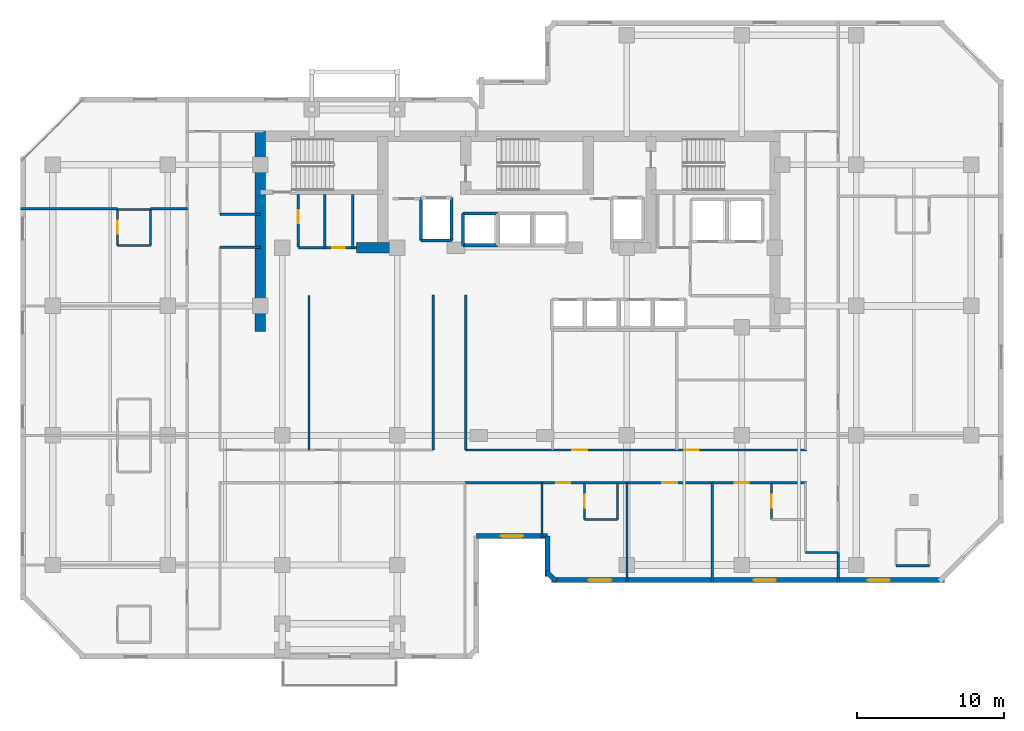
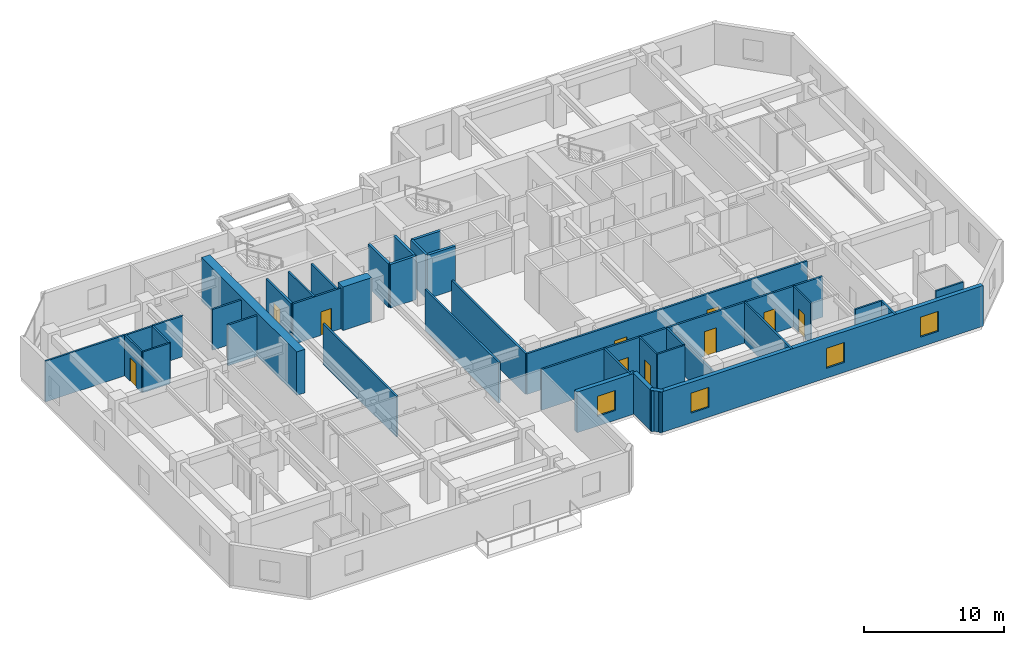
# One storey, part 5 of 10: 39 walls, 10 doors, 4 windows, 14 openings.
"""IFC4 building model written with IfcOpenShell, lengths in metres."""

from ifc_helpers import new_model, si_unit, direction, frame, frame_2d, origin, place, context, subcontext, project, spatial, rectangle, extrude, material, layer, layer_set, type_object, element, fill, save


model = new_model("IFC4")

# Units and contexts
model_context = context("Model", 3, precision=1e-05, world=origin(), true_north=direction((0.0, 1.0)))
body_context = subcontext(model_context, "Body", "Model", "MODEL_VIEW")
ifc_project = project(units=[si_unit("LENGTHUNIT", "METRE"), si_unit("AREAUNIT", "SQUARE_METRE"), si_unit("VOLUMEUNIT", "CUBIC_METRE"), si_unit("PLANEANGLEUNIT", "RADIAN"), si_unit("MASSUNIT", "GRAM", prefix="KILO")], contexts=[model_context])

# Site, building, storey
site_placement = place(None, origin())
site = spatial("IfcSite", under=ifc_project, at=site_placement, CompositionType="ELEMENT")
building_placement = place(site_placement, origin())
building = spatial("IfcBuilding", under=site, at=building_placement, Name="Kestravale Grand Hotel", CompositionType="ELEMENT")
storey_placement = place(building_placement, frame((0.0, 0.0, 138.39990234375)))
storey = spatial("IfcBuildingStorey", under=building, at=storey_placement, Name="L34", CompositionType="ELEMENT", Elevation=138.39990234375)

# Walls
ifc_material_1 = material(Name="Concrete f'c 60 MPa", Category="concrete")
ifc_layer_1 = layer(ifc_material_1, 0.699951171875)
ifc_layer_set_1 = layer_set([ifc_layer_1], Name="EW-CORE-700")
wall_type_1 = type_object("IfcWallType", Name="EW-CORE-700", PredefinedType="SHEAR", material=ifc_layer_set_1)
wall_1_placement = place(storey_placement, frame((21.89990234375, 27.050048828125, 0.0), z_axis=(0.0, 0.0, 1.0), x_axis=(0.0, 1.0, 0.0)))
element("IfcWall", 1, at=wall_1_placement, inside=storey, type_object=wall_type_1, Name="L34 core shear wall W1", PredefinedType="SHEAR", context=body_context, shape_type="SweptSolid", body=[
    extrude(rectangle(XDim=13.619873046875, YDim=0.699951171875, at=frame_2d((6.81005859375, 0.0))), origin(), (0.0, 0.0, 1.0), 3.800048828125),
])
wall_2_placement = place(storey_placement, frame((28.449951171875, 32.75, 0.0), z_axis=(0.0, 0.0, 1.0), x_axis=(1.0, 0.0, 0.0)))
element("IfcWall", 2, at=wall_2_placement, inside=storey, type_object=wall_type_1, Name="L34 core shear wall S1", PredefinedType="SHEAR", context=body_context, shape_type="SweptSolid", body=[
    extrude(rectangle(XDim=2.400146484375, YDim=0.699951171875, at=frame_2d((1.2001953125, 0.0))), origin(), (0.0, 0.0, 1.0), 3.800048828125),
])

# Wall, opening, window
ifc_material_2 = material(Name="Precast concrete f'c 45 MPa", Category="concrete")
ifc_layer_2 = layer(ifc_material_2, 0.340087890625)
ifc_layer_set_2 = layer_set([ifc_layer_2], Name="EW-PREC-340")
wall_type_2 = type_object("IfcWallType", Name="EW-PREC-340", PredefinedType="SOLIDWALL", material=ifc_layer_set_2)
wall_3_placement = place(storey_placement, frame((36.580078125, 13.169921875, 0.0), z_axis=(0.0, 0.0, 1.0), x_axis=(1.0, 0.0, 0.0)))
wall_3 = element("IfcWall", 3, at=wall_3_placement, inside=storey, type_object=wall_type_2, Name="L34 fluted precast facade wall 4", PredefinedType="SOLIDWALL", context=body_context, shape_type="SweptSolid", body=[
    extrude(rectangle(XDim=4.83984375, YDim=0.340087890625, at=frame_2d((2.419921875, 0.0))), origin(), (0.0, 0.0, 1.0), 3.550048828125),
])
opening_1_placement = place(wall_3_placement, frame((1.669921875, 0.0, 0.85009765625)))
opening_1 = element("IfcOpeningElement", 4, at=opening_1_placement, cuts=wall_3, Name="Opening W-GUEST-1500", PredefinedType="OPENING", context=body_context, shape_type="SweptSolid", body=[
    extrude(rectangle(XDim=1.5, YDim=1.75, at=frame_2d((0.75, 0.875))), frame((0.0, 0.179931640625, 0.0), z_axis=(0.0, -1.0, 0.0), x_axis=(1.0, 0.0, 0.0)), (0.0, 0.0, 1.0), 0.360107421875),
])
ifc_material_3 = material(Name="Insulated low-E double glazing in aluminium frame", Category="aluminium")
window_type = type_object("IfcWindowType", Name="W-GUEST-1500", PartitioningType="SINGLE_PANEL", PredefinedType="WINDOW", material=ifc_material_3)
window_1_placement = place(opening_1_placement, origin())
window_1 = element("IfcWindow", 5, at=window_1_placement, inside=storey, type_object=window_type, Name="L34 exterior window 4.1", OverallHeight=1.75, OverallWidth=1.5, PartitioningType="SINGLE_PANEL", PredefinedType="WINDOW", context=body_context, shape_type="SweptSolid", body=[
    extrude(rectangle(XDim=1.5, YDim=1.75, at=frame_2d((0.75, 0.875))), frame((0.0, 0.030029296875, 0.0), z_axis=(0.0, -1.0, 0.0), x_axis=(1.0, 0.0, 0.0)), (0.0, 0.0, 1.0), 0.06005859375),
])
fill(opening_1, window_1)

# Walls
wall_4_placement = place(storey_placement, frame((41.419921875, 13.169921875, 0.0), z_axis=(0.0, 0.0, 1.0), x_axis=(0.0, -1.0, 0.0)))
element("IfcWall", 6, at=wall_4_placement, inside=storey, type_object=wall_type_2, Name="L34 fluted precast facade wall 5", PredefinedType="SOLIDWALL", context=body_context, shape_type="SweptSolid", body=[
    extrude(rectangle(XDim=2.739990234375, YDim=0.340087890625, at=frame_2d((1.3701171875, 0.0))), origin(), (0.0, 0.0, 1.0), 3.550048828125),
])
wall_5_placement = place(storey_placement, frame((41.341796875, 10.74853515625, 0.0), z_axis=(0.0, 0.0, 1.0), x_axis=(0.707106781187, -0.707106781187, 0.0)))
element("IfcWall", 7, at=wall_5_placement, inside=storey, type_object=wall_type_2, Name="L34 fluted precast facade wall 6", PredefinedType="SOLIDWALL", context=body_context, shape_type="SweptSolid", body=[
    extrude(rectangle(XDim=0.9287109375, YDim=0.340087890625, at=frame_2d((0.46435546875, 0.0))), origin(), (0.0, 0.0, 1.0), 3.550048828125),
])

# Wall, openings, windows
wall_6_placement = place(storey_placement, frame((41.679931640625, 10.169921875, 0.0), z_axis=(0.0, 0.0, 1.0), x_axis=(1.0, 0.0, 0.0)))
wall_6 = element("IfcWall", 8, at=wall_6_placement, inside=storey, type_object=wall_type_2, Name="L34 fluted precast facade wall 7", PredefinedType="SOLIDWALL", context=body_context, shape_type="SweptSolid", body=[
    extrude(rectangle(XDim=26.690185546875, YDim=0.340087890625, at=frame_2d((13.34521484375, 0.0))), origin(), (0.0, 0.0, 1.0), 3.550048828125),
])
opening_2_placement = place(wall_6_placement, frame((2.54833984375, 0.0, 0.85009765625)))
opening_2 = element("IfcOpeningElement", 9, at=opening_2_placement, cuts=wall_6, Name="Opening W-GUEST-1500", PredefinedType="OPENING", context=body_context, shape_type="SweptSolid", body=[
    extrude(rectangle(XDim=1.5, YDim=1.75, at=frame_2d((0.75, 0.875))), frame((0.0, 0.179931640625, 0.0), z_axis=(0.0, -1.0, 0.0), x_axis=(1.0, 0.0, 0.0)), (0.0, 0.0, 1.0), 0.360107421875),
])
opening_3_placement = place(wall_6_placement, frame((13.7451171875, 0.0, 0.85009765625)))
opening_3 = element("IfcOpeningElement", 10, at=opening_3_placement, cuts=wall_6, Name="Opening W-GUEST-1500", PredefinedType="OPENING", context=body_context, shape_type="SweptSolid", body=[
    extrude(rectangle(XDim=1.5, YDim=1.75, at=frame_2d((0.75, 0.875))), frame((0.0, 0.179931640625, 0.0), z_axis=(0.0, -1.0, 0.0), x_axis=(1.0, 0.0, 0.0)), (0.0, 0.0, 1.0), 0.360107421875),
])
opening_4_placement = place(wall_6_placement, frame((21.49169921875, 0.0, 0.85009765625)))
opening_4 = element("IfcOpeningElement", 11, at=opening_4_placement, cuts=wall_6, Name="Opening W-GUEST-1500", PredefinedType="OPENING", context=body_context, shape_type="SweptSolid", body=[
    extrude(rectangle(XDim=1.5, YDim=1.75, at=frame_2d((0.75, 0.875))), frame((0.0, 0.179931640625, 0.0), z_axis=(0.0, -1.0, 0.0), x_axis=(1.0, 0.0, 0.0)), (0.0, 0.0, 1.0), 0.360107421875),
])
window_2_placement = place(opening_2_placement, origin())
window_2 = element("IfcWindow", 12, at=window_2_placement, inside=storey, type_object=window_type, Name="L34 exterior window 7.1", OverallHeight=1.75, OverallWidth=1.5, PartitioningType="SINGLE_PANEL", PredefinedType="WINDOW", context=body_context, shape_type="SweptSolid", body=[
    extrude(rectangle(XDim=1.5, YDim=1.75, at=frame_2d((0.75, 0.875))), frame((0.0, 0.030029296875, 0.0), z_axis=(0.0, -1.0, 0.0), x_axis=(1.0, 0.0, 0.0)), (0.0, 0.0, 1.0), 0.06005859375),
])
fill(opening_2, window_2)
window_3_placement = place(opening_3_placement, origin())
window_3 = element("IfcWindow", 13, at=window_3_placement, inside=storey, type_object=window_type, Name="L34 exterior window 7.2", OverallHeight=1.75, OverallWidth=1.5, PartitioningType="SINGLE_PANEL", PredefinedType="WINDOW", context=body_context, shape_type="SweptSolid", body=[
    extrude(rectangle(XDim=1.5, YDim=1.75, at=frame_2d((0.75, 0.875))), frame((0.0, 0.030029296875, 0.0), z_axis=(0.0, -1.0, 0.0), x_axis=(1.0, 0.0, 0.0)), (0.0, 0.0, 1.0), 0.06005859375),
])
fill(opening_3, window_3)
window_4_placement = place(opening_4_placement, origin())
window_4 = element("IfcWindow", 14, at=window_4_placement, inside=storey, type_object=window_type, Name="L34 exterior window 7.3", OverallHeight=1.75, OverallWidth=1.5, PartitioningType="SINGLE_PANEL", PredefinedType="WINDOW", context=body_context, shape_type="SweptSolid", body=[
    extrude(rectangle(XDim=1.5, YDim=1.75, at=frame_2d((0.75, 0.875))), frame((0.0, 0.030029296875, 0.0), z_axis=(0.0, -1.0, 0.0), x_axis=(1.0, 0.0, 0.0)), (0.0, 0.0, 1.0), 0.06005859375),
])
fill(opening_4, window_4)

# Wall, opening, door
ifc_material_4 = material(Name="Acoustic fire-rated gypsum board partition", Category="other")
ifc_layer_3 = layer(ifc_material_4, 0.159912109375)
ifc_layer_set_3 = layer_set([ifc_layer_3], Name="IW-CORR-160")
wall_type_3 = type_object("IfcWallType", Name="IW-CORR-160", PredefinedType="PARTITIONING", material=ifc_layer_set_3)
wall_7_placement = place(storey_placement, frame((24.47998046875, 32.800048828125, 0.0), z_axis=(0.0, 0.0, 1.0), x_axis=(0.0, 1.0, 0.0)))
wall_7 = element("IfcWall", 15, at=wall_7_placement, inside=storey, type_object=wall_type_3, Name="L34 west core vestibule wall", PredefinedType="PARTITIONING", context=body_context, shape_type="SweptSolid", body=[
    extrude(rectangle(XDim=3.570068359375, YDim=0.159912109375, at=frame_2d((1.78515625, 0.0))), origin(), (0.0, 0.0, 1.0), 3.550048828125),
])
opening_5_placement = place(wall_7_placement, frame((1.603515625, 0.0, 0.0)))
opening_5 = element("IfcOpeningElement", 16, at=opening_5_placement, cuts=wall_7, Name="Opening D-SH-900", PredefinedType="OPENING", context=body_context, shape_type="SweptSolid", body=[
    extrude(rectangle(XDim=0.89990234375, YDim=2.10009765625, at=frame_2d((0.449951171875, 1.050048828125))), frame((0.0, 0.08984375, 0.0), z_axis=(0.0, -1.0, 0.0), x_axis=(1.0, 0.0, 0.0)), (0.0, 0.0, 1.0), 0.179931640625),
])
ifc_material_5 = material(Name="Galvanised 90-minute shaft and service fire door", Category="steel")
door_type_1 = type_object("IfcDoorType", Name="D-SH-900", OperationType="NOTDEFINED", PredefinedType="DOOR", material=ifc_material_5)
door_1_placement = place(opening_5_placement, origin())
door_1 = element("IfcDoor", 17, at=door_1_placement, inside=storey, type_object=door_type_1, Name="D-L34-HK", OperationType="SINGLE_SWING_RIGHT", OverallHeight=2.10009765625, OverallWidth=0.89990234375, PredefinedType="DOOR", context=body_context, shape_type="SweptSolid", body=[
    extrude(rectangle(XDim=0.89990234375, YDim=2.10009765625, at=frame_2d((0.449951171875, 1.050048828125))), frame((0.0, 0.02490234375, 0.0), z_axis=(0.0, -1.0, 0.0), x_axis=(1.0, 0.0, 0.0)), (0.0, 0.0, 1.0), 0.050048828125),
])
fill(opening_5, door_1)

wall_8_placement = place(storey_placement, frame((24.47998046875, 32.75, 0.0), z_axis=(0.0, 0.0, 1.0), x_axis=(1.0, 0.0, 0.0)))
wall_8 = element("IfcWall", 18, at=wall_8_placement, inside=storey, type_object=wall_type_3, Name="W-L34-CWS", PredefinedType="PARTITIONING", context=body_context, shape_type="SweptSolid", body=[
    extrude(rectangle(XDim=3.969970703125, YDim=0.159912109375, at=frame_2d((1.98486328125, 0.0))), origin(), (0.0, 0.0, 1.0), 3.550048828125),
])
opening_6_placement = place(wall_8_placement, frame((2.31005859375, 0.0, 0.0)))
opening_6 = element("IfcOpeningElement", 19, at=opening_6_placement, cuts=wall_8, Name="Opening D-SH-860", PredefinedType="OPENING", context=body_context, shape_type="SweptSolid", body=[
    extrude(rectangle(XDim=0.860107421875, YDim=2.050048828125, at=frame_2d((0.43017578125, 1.02490234375))), frame((0.0, 0.08984375, 0.0), z_axis=(0.0, -1.0, 0.0), x_axis=(1.0, 0.0, 0.0)), (0.0, 0.0, 1.0), 0.179931640625),
])
ifc_material_6 = material(Name="Galvanised 90-minute riser fire door", Category="steel")
door_type_2 = type_object("IfcDoorType", Name="D-SH-860", OperationType="NOTDEFINED", PredefinedType="DOOR", material=ifc_material_6)
door_2_placement = place(opening_6_placement, origin())
door_2 = element("IfcDoor", 20, at=door_2_placement, inside=storey, type_object=door_type_2, Name="D-L34-IDF", OperationType="SINGLE_SWING_RIGHT", OverallHeight=2.050048828125, OverallWidth=0.860107421875, PredefinedType="DOOR", context=body_context, shape_type="SweptSolid", body=[
    extrude(rectangle(XDim=0.860107421875, YDim=2.050048828125, at=frame_2d((0.43017578125, 1.02490234375))), frame((0.0, 0.02490234375, 0.0), z_axis=(0.0, -1.0, 0.0), x_axis=(1.0, 0.0, 0.0)), (0.0, 0.0, 1.0), 0.050048828125),
])
fill(opening_6, door_2)

# Wall, openings, doors
wall_9_placement = place(storey_placement, frame((35.85009765625, 19.010009765625, 0.0), z_axis=(0.0, 0.0, 1.0), x_axis=(1.0, 0.0, 0.0)))
wall_9 = element("IfcWall", 21, at=wall_9_placement, inside=storey, type_object=wall_type_3, Name="W-L34-CE-N", PredefinedType="PARTITIONING", context=body_context, shape_type="SweptSolid", body=[
    extrude(rectangle(XDim=23.14990234375, YDim=0.159912109375, at=frame_2d((11.574951171875, 0.0))), origin(), (0.0, 0.0, 1.0), 3.550048828125),
])
opening_7_placement = place(wall_9_placement, frame((7.25, 0.0, 0.0)))
opening_7 = element("IfcOpeningElement", 22, at=opening_7_placement, cuts=wall_9, Name="Opening D-GUEST-1000", PredefinedType="OPENING", context=body_context, shape_type="SweptSolid", body=[
    extrude(rectangle(XDim=1.0, YDim=2.14990234375, at=frame_2d((0.5, 1.074951171875))), frame((0.0, 0.08984375, 0.0), z_axis=(0.0, -1.0, 0.0), x_axis=(1.0, 0.0, 0.0)), (0.0, 0.0, 1.0), 0.179931640625),
])
opening_8_placement = place(wall_9_placement, frame((14.85009765625, 0.0, 0.0)))
opening_8 = element("IfcOpeningElement", 23, at=opening_8_placement, cuts=wall_9, Name="Opening D-GUEST-1000", PredefinedType="OPENING", context=body_context, shape_type="SweptSolid", body=[
    extrude(rectangle(XDim=1.0, YDim=2.14990234375, at=frame_2d((0.5, 1.074951171875))), frame((0.0, 0.08984375, 0.0), z_axis=(0.0, -1.0, 0.0), x_axis=(1.0, 0.0, 0.0)), (0.0, 0.0, 1.0), 0.179931640625),
])
ifc_material_7 = material(Name="Accessible walnut veneer hotel entrance fire door", Category="wood")
door_type_3 = type_object("IfcDoorType", Name="D-GUEST-1000", OperationType="NOTDEFINED", PredefinedType="DOOR", material=ifc_material_7)
door_3_placement = place(opening_7_placement, origin())
door_3 = element("IfcDoor", 24, at=door_3_placement, inside=storey, type_object=door_type_3, Name="D-L34-RECL-E1", OperationType="SINGLE_SWING_LEFT", OverallHeight=2.14990234375, OverallWidth=1.0, PredefinedType="DOOR", context=body_context, shape_type="SweptSolid", body=[
    extrude(rectangle(XDim=1.0, YDim=2.14990234375, at=frame_2d((0.5, 1.074951171875))), frame((0.0, 0.02490234375, 0.0), z_axis=(0.0, -1.0, 0.0), x_axis=(1.0, 0.0, 0.0)), (0.0, 0.0, 1.0), 0.050048828125),
])
fill(opening_7, door_3)
door_4_placement = place(opening_8_placement, origin())
door_4 = element("IfcDoor", 25, at=door_4_placement, inside=storey, type_object=door_type_3, Name="D-L34-RECL-E2", OperationType="SINGLE_SWING_RIGHT", OverallHeight=2.14990234375, OverallWidth=1.0, PredefinedType="DOOR", context=body_context, shape_type="SweptSolid", body=[
    extrude(rectangle(XDim=1.0, YDim=2.14990234375, at=frame_2d((0.5, 1.074951171875))), frame((0.0, 0.02490234375, 0.0), z_axis=(0.0, -1.0, 0.0), x_axis=(1.0, 0.0, 0.0)), (0.0, 0.0, 1.0), 0.050048828125),
])
fill(opening_8, door_4)

# Walls
for number, where, z_axis, x_axis, name in (
    (26, (33.64990234375, 19.010009765625, 0.0), (0.0, 0.0, 1.0), (0.0, 1.0, 0.0), "W-L34-TRUNK-W"),
    (27, (35.85009765625, 19.010009765625, 0.0), (0.0, 0.0, 1.0), (0.0, 1.0, 0.0), "W-L34-TRUNK-E"),
):
    element("IfcWall", number, at=place(storey_placement, frame(where, z_axis=z_axis, x_axis=x_axis)), inside=storey, type_object=wall_type_3, Name=name, PredefinedType="PARTITIONING", context=body_context, shape_type="SweptSolid", body=[
        extrude(rectangle(XDim=10.5400390625, YDim=0.159912109375, at=frame_2d((5.27001953125, 0.0))), origin(), (0.0, 0.0, 1.0), 3.550048828125),
    ])

# Wall, openings, doors
wall_10_placement = place(storey_placement, frame((35.800048828125, 16.7900390625, 0.0), z_axis=(0.0, 0.0, 1.0), x_axis=(1.0, 0.0, 0.0)))
wall_10 = element("IfcWall", 28, at=wall_10_placement, inside=storey, type_object=wall_type_3, Name="W-L34-CE-S", PredefinedType="PARTITIONING", context=body_context, shape_type="SweptSolid", body=[
    extrude(rectangle(XDim=23.199951171875, YDim=0.159912109375, at=frame_2d((11.60009765625, 0.0))), origin(), (0.0, 0.0, 1.0), 3.550048828125),
])
opening_9_placement = place(wall_10_placement, frame((6.202392578125, 0.0, 0.0)))
opening_9 = element("IfcOpeningElement", 29, at=opening_9_placement, cuts=wall_10, Name="Opening D-GUEST-950", PredefinedType="OPENING", context=body_context, shape_type="SweptSolid", body=[
    extrude(rectangle(XDim=0.949951171875, YDim=2.10009765625, at=frame_2d((0.47509765625, 1.050048828125))), frame((0.0, 0.08984375, 0.0), z_axis=(0.0, -1.0, 0.0), x_axis=(1.0, 0.0, 0.0)), (0.0, 0.0, 1.0), 0.179931640625),
])
opening_10_placement = place(wall_10_placement, frame((13.41259765625, 0.0, 0.0)))
opening_10 = element("IfcOpeningElement", 30, at=opening_10_placement, cuts=wall_10, Name="Opening D-GUEST-1000", PredefinedType="OPENING", context=body_context, shape_type="SweptSolid", body=[
    extrude(rectangle(XDim=1.0, YDim=2.14990234375, at=frame_2d((0.5, 1.074951171875))), frame((0.0, 0.08984375, 0.0), z_axis=(0.0, -1.0, 0.0), x_axis=(1.0, 0.0, 0.0)), (0.0, 0.0, 1.0), 0.179931640625),
])
opening_11_placement = place(wall_10_placement, frame((18.342529296875, 0.0, 0.0)))
opening_11 = element("IfcOpeningElement", 31, at=opening_11_placement, cuts=wall_10, Name="Opening D-GUEST-950", PredefinedType="OPENING", context=body_context, shape_type="SweptSolid", body=[
    extrude(rectangle(XDim=0.949951171875, YDim=2.10009765625, at=frame_2d((0.47509765625, 1.050048828125))), frame((0.0, 0.08984375, 0.0), z_axis=(0.0, -1.0, 0.0), x_axis=(1.0, 0.0, 0.0)), (0.0, 0.0, 1.0), 0.179931640625),
])
door_5_placement = place(opening_10_placement, origin())
door_5 = element("IfcDoor", 32, at=door_5_placement, inside=storey, type_object=door_type_3, Name="D-L34-AME", OperationType="SINGLE_SWING_RIGHT", OverallHeight=2.14990234375, OverallWidth=1.0, PredefinedType="DOOR", context=body_context, shape_type="SweptSolid", body=[
    extrude(rectangle(XDim=1.0, YDim=2.14990234375, at=frame_2d((0.5, 1.074951171875))), frame((0.0, 0.02490234375, 0.0), z_axis=(0.0, -1.0, 0.0), x_axis=(1.0, 0.0, 0.0)), (0.0, 0.0, 1.0), 0.050048828125),
])
fill(opening_10, door_5)
ifc_material_8 = material(Name="Walnut veneer hotel guestroom entrance fire door", Category="wood")
door_type_4 = type_object("IfcDoorType", Name="D-GUEST-950", OperationType="NOTDEFINED", PredefinedType="DOOR", material=ifc_material_8)
door_6_placement = place(opening_9_placement, origin())
door_6 = element("IfcDoor", 33, at=door_6_placement, inside=storey, type_object=door_type_4, Name="D-L34-U01-ENT", OperationType="SINGLE_SWING_LEFT", OverallHeight=2.10009765625, OverallWidth=0.949951171875, PredefinedType="DOOR", context=body_context, shape_type="SweptSolid", body=[
    extrude(rectangle(XDim=0.949951171875, YDim=2.10009765625, at=frame_2d((0.47509765625, 1.050048828125))), frame((0.0, 0.02490234375, 0.0), z_axis=(0.0, -1.0, 0.0), x_axis=(1.0, 0.0, 0.0)), (0.0, 0.0, 1.0), 0.050048828125),
])
fill(opening_9, door_6)
door_7_placement = place(opening_11_placement, origin())
door_7 = element("IfcDoor", 34, at=door_7_placement, inside=storey, type_object=door_type_4, Name="D-L34-U02-ENT", OperationType="SINGLE_SWING_RIGHT", OverallHeight=2.10009765625, OverallWidth=0.949951171875, PredefinedType="DOOR", context=body_context, shape_type="SweptSolid", body=[
    extrude(rectangle(XDim=0.949951171875, YDim=2.10009765625, at=frame_2d((0.47509765625, 1.050048828125))), frame((0.0, 0.02490234375, 0.0), z_axis=(0.0, -1.0, 0.0), x_axis=(1.0, 0.0, 0.0)), (0.0, 0.0, 1.0), 0.050048828125),
])
fill(opening_11, door_7)

# Walls
for number, where, z_axis, x_axis, name in (
    (35, (19.159912109375, 35.02001953125, 0.0), (0.0, 0.0, 1.0), (1.0, 0.0, 0.0), "W-L34-SW-CN"),
    (36, (19.159912109375, 32.780029296875, 0.0), (0.0, 0.0, 1.0), (1.0, 0.0, 0.0), "W-L34-SW-CS"),
):
    element("IfcWall", number, at=place(storey_placement, frame(where, z_axis=z_axis, x_axis=x_axis)), inside=storey, type_object=wall_type_3, Name=name, PredefinedType="PARTITIONING", context=body_context, shape_type="SweptSolid", body=[
        extrude(rectangle(XDim=2.739990234375, YDim=0.159912109375, at=frame_2d((1.3701171875, 0.0))), origin(), (0.0, 0.0, 1.0), 3.550048828125),
    ])

# Wall, opening, door
ifc_material_9 = material(Name="Moisture-resistant tile-backer plumbing chase wall", Category="other")
ifc_layer_4 = layer(ifc_material_9, 0.139892578125)
ifc_layer_set_4 = layer_set([ifc_layer_4], Name="IW-PLB-140")
wall_type_4 = type_object("IfcWallType", Name="IW-PLB-140", PredefinedType="PLUMBINGWALL", material=ifc_layer_set_4)
wall_11_placement = place(storey_placement, frame((43.919921875, 14.280029296875, 0.0), z_axis=(0.0, 0.0, 1.0), x_axis=(0.0, 1.0, 0.0)))
wall_11 = element("IfcWall", 37, at=wall_11_placement, inside=storey, type_object=wall_type_4, Name="W-L34-U01-BW", PredefinedType="PLUMBINGWALL", context=body_context, shape_type="SweptSolid", body=[
    extrude(rectangle(XDim=2.489990234375, YDim=0.139892578125, at=frame_2d((1.2451171875, 0.0))), origin(), (0.0, 0.0, 1.0), 3.550048828125),
])
opening_12_placement = place(wall_11_placement, frame((0.804931640625, 0.0, 0.0)))
opening_12 = element("IfcOpeningElement", 38, at=opening_12_placement, cuts=wall_11, Name="Opening D-BATH-880", PredefinedType="OPENING", context=body_context, shape_type="SweptSolid", body=[
    extrude(rectangle(XDim=0.8798828125, YDim=2.050048828125, at=frame_2d((0.43994140625, 1.02490234375))), frame((0.0, 0.079833984375, 0.0), z_axis=(0.0, -1.0, 0.0), x_axis=(1.0, 0.0, 0.0)), (0.0, 0.0, 1.0), 0.159912109375),
])
ifc_material_10 = material(Name="Moisture-sealed walnut en-suite bathroom door", Category="wood")
door_type_5 = type_object("IfcDoorType", Name="D-BATH-880", OperationType="NOTDEFINED", PredefinedType="DOOR", material=ifc_material_10)
door_8_placement = place(opening_12_placement, origin())
door_8 = element("IfcDoor", 39, at=door_8_placement, inside=storey, type_object=door_type_5, Name="D-L34-U01-BATH", OperationType="SINGLE_SWING_RIGHT", OverallHeight=2.050048828125, OverallWidth=0.8798828125, PredefinedType="DOOR", context=body_context, shape_type="SweptSolid", body=[
    extrude(rectangle(XDim=0.8798828125, YDim=2.050048828125, at=frame_2d((0.43994140625, 1.02490234375))), frame((0.0, 0.02490234375, 0.0), z_axis=(0.0, -1.0, 0.0), x_axis=(1.0, 0.0, 0.0)), (0.0, 0.0, 1.0), 0.050048828125),
])
fill(opening_12, door_8)

# Walls
wall_12_placement = place(storey_placement, frame((46.169921875, 14.280029296875, 0.0), z_axis=(0.0, 0.0, 1.0), x_axis=(0.0, 1.0, 0.0)))
element("IfcWall", 40, at=wall_12_placement, inside=storey, type_object=wall_type_4, Name="W-L34-U01-BE", PredefinedType="PLUMBINGWALL", context=body_context, shape_type="SweptSolid", body=[
    extrude(rectangle(XDim=2.489990234375, YDim=0.139892578125, at=frame_2d((1.2451171875, 0.0))), origin(), (0.0, 0.0, 1.0), 3.550048828125),
])
wall_13_placement = place(storey_placement, frame((43.919921875, 14.280029296875, 0.0), z_axis=(0.0, 0.0, 1.0), x_axis=(1.0, 0.0, 0.0)))
element("IfcWall", 41, at=wall_13_placement, inside=storey, type_object=wall_type_4, Name="W-L34-U01-BS", PredefinedType="PLUMBINGWALL", context=body_context, shape_type="SweptSolid", body=[
    extrude(rectangle(XDim=2.25, YDim=0.139892578125, at=frame_2d((1.125, 0.0))), origin(), (0.0, 0.0, 1.0), 3.550048828125),
])

# Wall, opening, door
wall_14_placement = place(storey_placement, frame((56.6298828125, 14.280029296875, 0.0), z_axis=(0.0, 0.0, 1.0), x_axis=(0.0, 1.0, 0.0)))
wall_14 = element("IfcWall", 42, at=wall_14_placement, inside=storey, type_object=wall_type_4, Name="W-L34-U02-BW", PredefinedType="PLUMBINGWALL", context=body_context, shape_type="SweptSolid", body=[
    extrude(rectangle(XDim=2.489990234375, YDim=0.139892578125, at=frame_2d((1.2451171875, 0.0))), origin(), (0.0, 0.0, 1.0), 3.550048828125),
])
opening_13_placement = place(wall_14_placement, frame((0.804931640625, 0.0, 0.0)))
opening_13 = element("IfcOpeningElement", 43, at=opening_13_placement, cuts=wall_14, Name="Opening D-BATH-880", PredefinedType="OPENING", context=body_context, shape_type="SweptSolid", body=[
    extrude(rectangle(XDim=0.8798828125, YDim=2.050048828125, at=frame_2d((0.43994140625, 1.02490234375))), frame((0.0, 0.079833984375, 0.0), z_axis=(0.0, -1.0, 0.0), x_axis=(1.0, 0.0, 0.0)), (0.0, 0.0, 1.0), 0.159912109375),
])
door_9_placement = place(opening_13_placement, origin())
door_9 = element("IfcDoor", 44, at=door_9_placement, inside=storey, type_object=door_type_5, Name="D-L34-U02-BATH", OperationType="SINGLE_SWING_LEFT", OverallHeight=2.050048828125, OverallWidth=0.8798828125, PredefinedType="DOOR", context=body_context, shape_type="SweptSolid", body=[
    extrude(rectangle(XDim=0.8798828125, YDim=2.050048828125, at=frame_2d((0.43994140625, 1.02490234375))), frame((0.0, 0.02490234375, 0.0), z_axis=(0.0, -1.0, 0.0), x_axis=(1.0, 0.0, 0.0)), (0.0, 0.0, 1.0), 0.050048828125),
])
fill(opening_13, door_9)

wall_15_placement = place(storey_placement, frame((12.199951171875, 32.909912109375, 0.0), z_axis=(0.0, 0.0, 1.0), x_axis=(0.0, 1.0, 0.0)))
wall_15 = element("IfcWall", 45, at=wall_15_placement, inside=storey, type_object=wall_type_4, Name="W-L34-U06-BW", PredefinedType="PLUMBINGWALL", context=body_context, shape_type="SweptSolid", body=[
    extrude(rectangle(XDim=2.4501953125, YDim=0.139892578125, at=frame_2d((1.22509765625, 0.0))), origin(), (0.0, 0.0, 1.0), 3.550048828125),
])
opening_14_placement = place(wall_15_placement, frame((0.784912109375, 0.0, 0.0)))
opening_14 = element("IfcOpeningElement", 46, at=opening_14_placement, cuts=wall_15, Name="Opening D-BATH-880", PredefinedType="OPENING", context=body_context, shape_type="SweptSolid", body=[
    extrude(rectangle(XDim=0.8798828125, YDim=2.050048828125, at=frame_2d((0.43994140625, 1.02490234375))), frame((0.0, 0.079833984375, 0.0), z_axis=(0.0, -1.0, 0.0), x_axis=(1.0, 0.0, 0.0)), (0.0, 0.0, 1.0), 0.159912109375),
])
door_10_placement = place(opening_14_placement, origin())
door_10 = element("IfcDoor", 47, at=door_10_placement, inside=storey, type_object=door_type_5, Name="D-L34-U06-BATH", OperationType="SINGLE_SWING_LEFT", OverallHeight=2.050048828125, OverallWidth=0.8798828125, PredefinedType="DOOR", context=body_context, shape_type="SweptSolid", body=[
    extrude(rectangle(XDim=0.8798828125, YDim=2.050048828125, at=frame_2d((0.43994140625, 1.02490234375))), frame((0.0, 0.02490234375, 0.0), z_axis=(0.0, -1.0, 0.0), x_axis=(1.0, 0.0, 0.0)), (0.0, 0.0, 1.0), 0.050048828125),
])
fill(opening_14, door_10)

# Walls
wall_16_placement = place(storey_placement, frame((14.449951171875, 32.909912109375, 0.0), z_axis=(0.0, 0.0, 1.0), x_axis=(0.0, 1.0, 0.0)))
element("IfcWall", 48, at=wall_16_placement, inside=storey, type_object=wall_type_4, Name="W-L34-U06-BE", PredefinedType="PLUMBINGWALL", context=body_context, shape_type="SweptSolid", body=[
    extrude(rectangle(XDim=2.4501953125, YDim=0.139892578125, at=frame_2d((1.22509765625, 0.0))), origin(), (0.0, 0.0, 1.0), 3.550048828125),
])
for number, where, z_axis, x_axis, name in (
    (49, (12.199951171875, 32.909912109375, 0.0), (0.0, 0.0, 1.0), (1.0, 0.0, 0.0), "W-L34-U06-BS"),
    (50, (12.199951171875, 35.360107421875, 0.0), (0.0, 0.0, 1.0), (1.0, 0.0, 0.0), "W-L34-U06-BN"),
    (51, (65.10009765625, 11.14990234375, 0.0), (0.0, 0.0, 1.0), (1.0, 0.0, 0.0), "W-L34-U07-BS"),
):
    element("IfcWall", number, at=place(storey_placement, frame(where, z_axis=z_axis, x_axis=x_axis)), inside=storey, type_object=wall_type_4, Name=name, PredefinedType="PLUMBINGWALL", context=body_context, shape_type="SweptSolid", body=[
        extrude(rectangle(XDim=2.25, YDim=0.139892578125, at=frame_2d((1.125, 0.0))), origin(), (0.0, 0.0, 1.0), 3.550048828125),
    ])
ifc_material_11 = material(Name="Concrete f'c 45 MPa", Category="concrete")
ifc_layer_5 = layer(ifc_material_11, 0.199951171875)
ifc_layer_set_5 = layer_set([ifc_layer_5], Name="IW-SHAFT-200")
wall_type_5 = type_object("IfcWallType", Name="IW-SHAFT-200", PredefinedType="SHEAR", material=ifc_layer_set_5)
wall_17_placement = place(storey_placement, frame((35.679931640625, 32.919921875, 0.0), z_axis=(0.0, 0.0, 1.0), x_axis=(0.0, 1.0, 0.0)))
element("IfcWall", 52, at=wall_17_placement, inside=storey, type_object=wall_type_5, Name="L34 PL-X1 west shaft wall", PredefinedType="SHEAR", context=body_context, shape_type="SweptSolid", body=[
    extrude(rectangle(XDim=2.16015625, YDim=0.199951171875, at=frame_2d((1.080078125, 0.0))), origin(), (0.0, 0.0, 1.0), 3.800048828125),
])
for number, where, z_axis, x_axis, name in (
    (53, (32.804931640625, 33.2451171875, 0.0), (0.0, 0.0, 1.0), (0.0, 1.0, 0.0), "L34 FL-1 west shaft wall"),
    (54, (34.89501953125, 33.2451171875, 0.0), (0.0, 0.0, 1.0), (0.0, 1.0, 0.0), "L34 FL-1 east shaft wall"),
):
    element("IfcWall", number, at=place(storey_placement, frame(where, z_axis=z_axis, x_axis=x_axis)), inside=storey, type_object=wall_type_5, Name=name, PredefinedType="SHEAR", context=body_context, shape_type="SweptSolid", body=[
        extrude(rectangle(XDim=2.909912109375, YDim=0.199951171875, at=frame_2d((1.455078125, 0.0))), origin(), (0.0, 0.0, 1.0), 3.800048828125),
    ])
ifc_material_12 = material(Name="Concrete f'c 45 MPa", Category="concrete")
ifc_layer_6 = layer(ifc_material_12, 0.219970703125)
ifc_layer_set_6 = layer_set([ifc_layer_6], Name="IW-SHAFT-220")
wall_type_6 = type_object("IfcWallType", Name="IW-SHAFT-220", PredefinedType="SHEAR", material=ifc_layer_set_6)
for number, where, z_axis, x_axis, name in (
    (55, (35.679931640625, 35.080078125, 0.0), (0.0, 0.0, 1.0), (1.0, 0.0, 0.0), "L34 PL-X1 north shaft wall"),
    (56, (35.679931640625, 32.919921875, 0.0), (0.0, 0.0, 1.0), (1.0, 0.0, 0.0), "L34 PL-X1 south shaft wall"),
):
    element("IfcWall", number, at=place(storey_placement, frame(where, z_axis=z_axis, x_axis=x_axis)), inside=storey, type_object=wall_type_6, Name=name, PredefinedType="SHEAR", context=body_context, shape_type="SweptSolid", body=[
        extrude(rectangle(XDim=2.320068359375, YDim=0.219970703125, at=frame_2d((1.16015625, 0.0))), origin(), (0.0, 0.0, 1.0), 3.800048828125),
    ])
wall_18_placement = place(storey_placement, frame((32.804931640625, 33.2451171875, 0.0), z_axis=(0.0, 0.0, 1.0), x_axis=(1.0, 0.0, 0.0)))
element("IfcWall", 57, at=wall_18_placement, inside=storey, type_object=wall_type_6, Name="L34 FL-1 south shaft wall", PredefinedType="SHEAR", context=body_context, shape_type="SweptSolid", body=[
    extrude(rectangle(XDim=2.090087890625, YDim=0.219970703125, at=frame_2d((1.044921875, 0.0))), origin(), (0.0, 0.0, 1.0), 3.800048828125),
])
ifc_material_13 = material(Name="Double-stud STC 52 acoustic demising partition", Category="other")
ifc_layer_7 = layer(ifc_material_13, 0.14990234375)
ifc_layer_set_7 = layer_set([ifc_layer_7], Name="IW-UNIT-150")
wall_type_7 = type_object("IfcWallType", Name="IW-UNIT-150", PredefinedType="PARTITIONING", material=ifc_layer_set_7)
for number, where, z_axis, x_axis, name in (
    (58, (26.280029296875, 32.75, 0.0), (0.0, 0.0, 1.0), (0.0, 1.0, 0.0), "W-L34-CC1-1"),
    (59, (28.179931640625, 32.75, 0.0), (0.0, 0.0, 1.0), (0.0, 1.0, 0.0), "W-L34-CC1-2"),
):
    element("IfcWall", number, at=place(storey_placement, frame(where, z_axis=z_axis, x_axis=x_axis)), inside=storey, type_object=wall_type_7, Name=name, PredefinedType="PARTITIONING", context=body_context, shape_type="SweptSolid", body=[
        extrude(rectangle(XDim=3.6201171875, YDim=0.14990234375, at=frame_2d((1.81005859375, 0.0))), origin(), (0.0, 0.0, 1.0), 3.550048828125),
    ])
wall_19_placement = place(storey_placement, frame((58.93994140625, 12.050048828125, 0.0), z_axis=(0.0, 0.0, 1.0), x_axis=(1.0, 0.0, 0.0)))
element("IfcWall", 60, at=wall_19_placement, inside=storey, type_object=wall_type_7, Name="W-L34-SE-S", PredefinedType="PARTITIONING", context=body_context, shape_type="SweptSolid", body=[
    extrude(rectangle(XDim=2.219970703125, YDim=0.14990234375, at=frame_2d((1.10986328125, 0.0))), origin(), (0.0, 0.0, 1.0), 3.550048828125),
])
wall_20_placement = place(storey_placement, frame((25.199951171875, 19.010009765625, 0.0), z_axis=(0.0, 0.0, 1.0), x_axis=(0.0, 1.0, 0.0)))
element("IfcWall", 61, at=wall_20_placement, inside=storey, type_object=wall_type_7, Name="W-L34-RCLW-M", PredefinedType="PARTITIONING", context=body_context, shape_type="SweptSolid", body=[
    extrude(rectangle(XDim=10.489990234375, YDim=0.14990234375, at=frame_2d((5.2451171875, 0.0))), origin(), (0.0, 0.0, 1.0), 3.550048828125),
])
wall_21_placement = place(storey_placement, frame((41.034912109375, 13.02001953125, 0.0), z_axis=(0.0, 0.0, 1.0), x_axis=(0.0, 1.0, 0.0)))
element("IfcWall", 62, at=wall_21_placement, inside=storey, type_object=wall_type_7, Name="W-L34-ES-1", PredefinedType="PARTITIONING", context=body_context, shape_type="SweptSolid", body=[
    extrude(rectangle(XDim=3.77001953125, YDim=0.14990234375, at=frame_2d((1.885009765625, 0.0))), origin(), (0.0, 0.0, 1.0), 3.550048828125),
])
wall_22_placement = place(storey_placement, frame((46.820068359375, 10.02001953125, 0.0), z_axis=(0.0, 0.0, 1.0), x_axis=(0.0, 1.0, 0.0)))
element("IfcWall", 63, at=wall_22_placement, inside=storey, type_object=wall_type_7, Name="W-L34-ES-2", PredefinedType="PARTITIONING", context=body_context, shape_type="SweptSolid", body=[
    extrude(rectangle(XDim=6.77001953125, YDim=0.14990234375, at=frame_2d((3.385009765625, 0.0))), origin(), (0.0, 0.0, 1.0), 2.900146484375),
])
wall_23_placement = place(storey_placement, frame((52.60498046875, 10.02001953125, 0.0), z_axis=(0.0, 0.0, 1.0), x_axis=(0.0, 1.0, 0.0)))
element("IfcWall", 64, at=wall_23_placement, inside=storey, type_object=wall_type_7, Name="W-L34-ES-3", PredefinedType="PARTITIONING", context=body_context, shape_type="SweptSolid", body=[
    extrude(rectangle(XDim=6.77001953125, YDim=0.14990234375, at=frame_2d((3.385009765625, 0.0))), origin(), (0.0, 0.0, 1.0), 3.550048828125),
])
wall_24_placement = place(storey_placement, frame((5.6201171875, 35.39990234375, 0.0), z_axis=(0.0, 0.0, 1.0), x_axis=(1.0, 0.0, 0.0)))
element("IfcWall", 65, at=wall_24_placement, inside=storey, type_object=wall_type_7, Name="W-L34-WW-4", PredefinedType="PARTITIONING", context=body_context, shape_type="SweptSolid", body=[
    extrude(rectangle(XDim=6.579833984375, YDim=0.14990234375, at=frame_2d((3.2900390625, 0.0))), origin(), (0.0, 0.0, 1.0), 3.550048828125),
])
wall_25_placement = place(storey_placement, frame((14.449951171875, 35.39990234375, 0.0), z_axis=(0.0, 0.0, 1.0), x_axis=(1.0, 0.0, 0.0)))
element("IfcWall", 66, at=wall_25_placement, inside=storey, type_object=wall_type_7, Name="W-L34-WW-4", PredefinedType="PARTITIONING", context=body_context, shape_type="SweptSolid", body=[
    extrude(rectangle(XDim=2.489990234375, YDim=0.14990234375, at=frame_2d((1.2451171875, 0.0))), origin(), (0.0, 0.0, 1.0), 3.550048828125),
])
wall_26_placement = place(storey_placement, frame((61.159912109375, 10.02001953125, 0.0), z_axis=(0.0, 0.0, 1.0), x_axis=(0.0, 1.0, 0.0)))
element("IfcWall", 67, at=wall_26_placement, inside=storey, type_object=wall_type_7, Name="W-L34-SE-EXT", PredefinedType="PARTITIONING", context=body_context, shape_type="SweptSolid", body=[
    extrude(rectangle(XDim=2.030029296875, YDim=0.14990234375, at=frame_2d((1.01513671875, 0.0))), origin(), (0.0, 0.0, 1.0), 3.550048828125),
])

save(model, "model.ifc")
